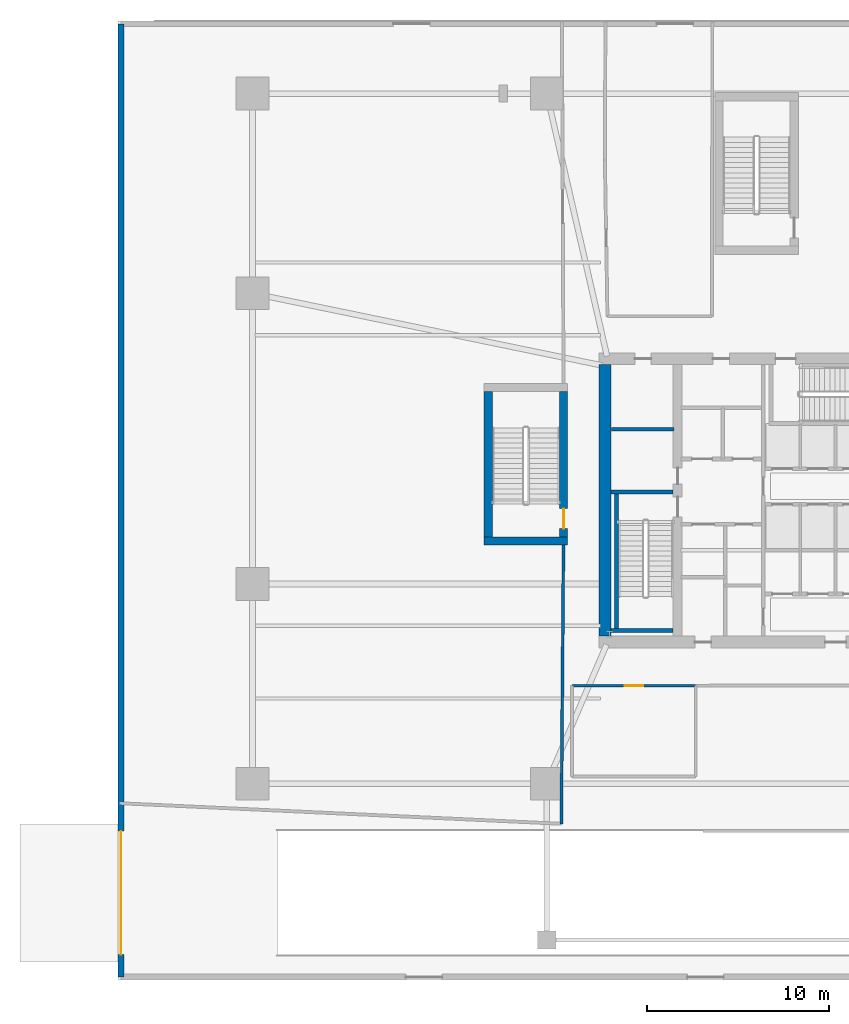
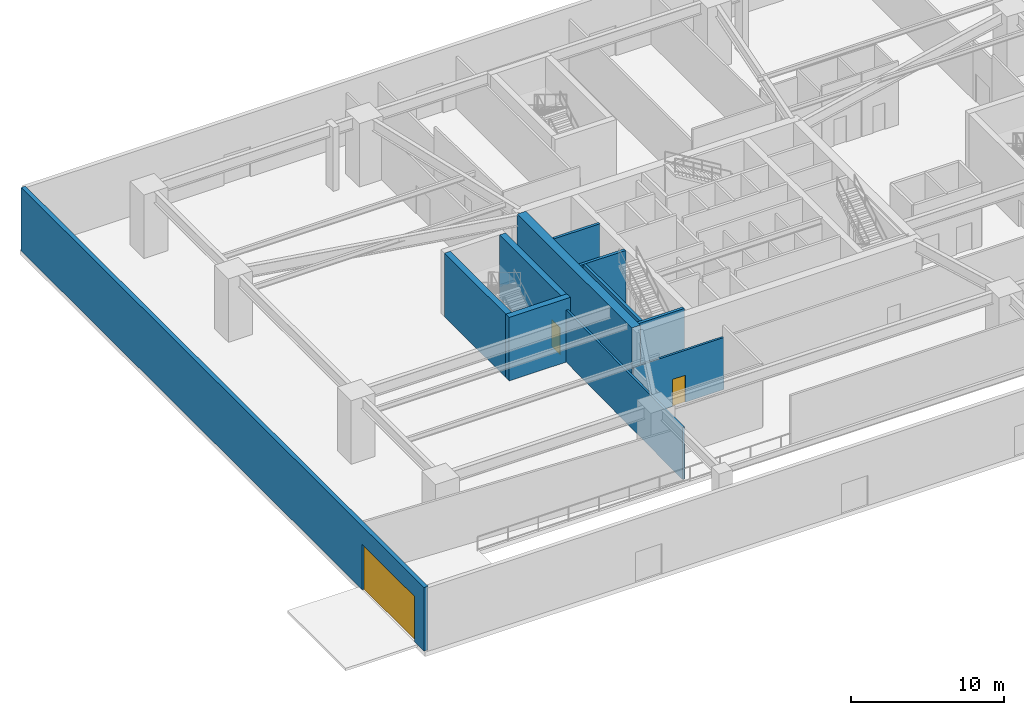
# One storey, part 4 of 13: 11 walls, 3 doors, 3 openings.
"""IFC4 building model written with IfcOpenShell, lengths in metres."""

from ifc_helpers import new_model, si_unit, direction, frame, frame_2d, origin, place, context, subcontext, project, spatial, rectangle, extrude, material, layer, layer_set, type_object, element, fill, save


model = new_model("IFC4")

# Units and contexts
model_context = context("Model", 3, precision=1e-05, world=origin(), true_north=direction((0.0, 1.0)))
body_context = subcontext(model_context, "Body", "Model", "MODEL_VIEW")
ifc_project = project(units=[si_unit("LENGTHUNIT", "METRE"), si_unit("AREAUNIT", "SQUARE_METRE"), si_unit("VOLUMEUNIT", "CUBIC_METRE"), si_unit("PLANEANGLEUNIT", "RADIAN"), si_unit("MASSUNIT", "GRAM", prefix="KILO")], contexts=[model_context])

# Site, building, storey
site_placement = place(None, origin())
site = spatial("IfcSite", under=ifc_project, at=site_placement, CompositionType="ELEMENT")
building_placement = place(site_placement, origin())
building = spatial("IfcBuilding", under=site, at=building_placement, Name="Qarnah Convention Tower", CompositionType="ELEMENT")
storey_placement = place(building_placement, origin())
storey = spatial("IfcBuildingStorey", under=building, at=storey_placement, Name="L00", CompositionType="ELEMENT", Elevation=0.0)

# Walls
ifc_material_1 = material(Name="Concrete C60/75", Category="concrete")
ifc_layer_1 = layer(ifc_material_1, 0.64990234375)
ifc_layer_set_1 = layer_set([ifc_layer_1], Name="Concrete C60/75")
wall_type_1 = type_object("IfcWallType", Name="WL-CORE-650", PredefinedType="SHEAR", material=ifc_layer_set_1)
wall_1_placement = place(storey_placement, frame((26.800048828125, 18.925048828125, 0.0), z_axis=(0.0, 0.0, 1.0), x_axis=(0.0, 1.0, 0.0)))
element("IfcWall", 1, at=wall_1_placement, inside=storey, type_object=wall_type_1, Name="L00 core west shear wall", PredefinedType="SHEAR", context=body_context, shape_type="SweptSolid", body=[
    extrude(rectangle(XDim=14.949951171875, YDim=0.64990234375, at=frame_2d((7.47509765625, 0.0))), origin(), (0.0, 0.0, 1.0), 5.050048828125),
])
ifc_material_2 = material(Name="Concrete C45/55", Category="concrete")
ifc_layer_2 = layer(ifc_material_2, 0.199951171875)
ifc_layer_set_2 = layer_set([ifc_layer_2], Name="Concrete C45/55")
wall_type_2 = type_object("IfcWallType", Name="WL-CORE-PART-200", PredefinedType="SOLIDWALL", material=ifc_layer_set_2)
wall_2_placement = place(storey_placement, frame((27.14990234375, 30.320068359375, 0.0), z_axis=(0.0, 0.0, 1.0), x_axis=(1.0, 0.0, 0.0)))
element("IfcWall", 2, at=wall_2_placement, inside=storey, type_object=wall_type_2, Name="L00 interior wall IW-L00-ELRN", PredefinedType="SOLIDWALL", context=body_context, shape_type="SweptSolid", body=[
    extrude(rectangle(XDim=3.4501953125, YDim=0.199951171875, at=frame_2d((1.72509765625, 0.0))), origin(), (0.0, 0.0, 1.0), 5.050048828125),
])
ifc_layer_3 = layer(ifc_material_1, 0.219970703125)
ifc_layer_set_3 = layer_set([ifc_layer_3], Name="Concrete C60/75")
wall_type_3 = type_object("IfcWallType", Name="WL-CORE-STAIR-220", PredefinedType="SHEAR", material=ifc_layer_set_3)
wall_3_placement = place(storey_placement, frame((27.125, 26.860107421875, 0.0), z_axis=(0.0, 0.0, 1.0), x_axis=(1.0, 0.0, 0.0)))
element("IfcWall", 3, at=wall_3_placement, inside=storey, type_object=wall_type_3, Name="L00 stair shaft shear wall SW-L00-ST1N", PredefinedType="SHEAR", context=body_context, shape_type="SweptSolid", body=[
    extrude(rectangle(XDim=3.425048828125, YDim=0.219970703125, at=frame_2d((1.71240234375, 0.0))), origin(), (0.0, 0.0, 1.0), 5.050048828125),
])
wall_4_placement = place(storey_placement, frame((27.43994140625, 19.35009765625, 0.0), z_axis=(0.0, 0.0, 1.0), x_axis=(0.0, 1.0, 0.0)))
element("IfcWall", 4, at=wall_4_placement, inside=storey, type_object=wall_type_3, Name="L00 stair shaft shear wall SW-L00-ST1W", PredefinedType="SHEAR", context=body_context, shape_type="SweptSolid", body=[
    extrude(rectangle(XDim=7.39990234375, YDim=0.219970703125, at=frame_2d((3.699951171875, 0.0))), origin(), (0.0, 0.0, 1.0), 5.050048828125),
])
wall_5_placement = place(storey_placement, frame((27.125, 19.239990234375, 0.0), z_axis=(0.0, 0.0, 1.0), x_axis=(1.0, 0.0, 0.0)))
element("IfcWall", 5, at=wall_5_placement, inside=storey, type_object=wall_type_3, Name="L00 stair shaft shear wall SW-L00-ST1S", PredefinedType="SHEAR", context=body_context, shape_type="SweptSolid", body=[
    extrude(rectangle(XDim=3.425048828125, YDim=0.219970703125, at=frame_2d((1.71240234375, 0.0))), origin(), (0.0, 0.0, 1.0), 5.050048828125),
])

# Wall, opening, door
ifc_material_3 = material(Name="Gypsum partition board")
ifc_layer_4 = layer(ifc_material_3, 0.159912109375)
ifc_layer_set_4 = layer_set([ifc_layer_4], Name="Gypsum partition board")
wall_type_4 = type_object("IfcWallType", Name="WL-CORR-160", PredefinedType="PARTITIONING", material=ifc_layer_set_4)
wall_6_placement = place(storey_placement, frame((31.800048828125, 16.199951171875, 0.0), z_axis=(0.0, 0.0, 1.0), x_axis=(-1.0, 0.0, 0.0)))
wall_6 = element("IfcWall", 6, at=wall_6_placement, inside=storey, type_object=wall_type_4, Name="L00 interior wall IW-L00-R-12", PredefinedType="PARTITIONING", context=body_context, shape_type="SweptSolid", body=[
    extrude(rectangle(XDim=6.800048828125, YDim=0.159912109375, at=frame_2d((3.39990234375, 0.0))), origin(), (0.0, 0.0, 1.0), 4.135009765625),
])
opening_1_placement = place(wall_6_placement, frame((2.89990234375, 0.0, 0.0)))
opening_1 = element("IfcOpeningElement", 7, at=opening_1_placement, cuts=wall_6, Name="Opening D-0022", PredefinedType="OPENING", context=body_context, shape_type="SweptSolid", body=[
    extrude(rectangle(XDim=1.0, YDim=2.14990234375, at=frame_2d((0.5, 1.074951171875))), frame((0.0, 0.08984375, 0.0), z_axis=(0.0, -1.0, 0.0), x_axis=(1.0, 0.0, 0.0)), (0.0, 0.0, 1.0), 0.179931640625),
])
ifc_material_4 = material(Name="Oak timber veneer", Category="wood")
door_type_1 = type_object("IfcDoorType", Name="DT-OFFICE-1000", OperationType="NOTDEFINED", PredefinedType="DOOR", material=ifc_material_4)
door_1_placement = place(opening_1_placement, origin())
door_1 = element("IfcDoor", 8, at=door_1_placement, inside=storey, type_object=door_type_1, Name="Door D-0022", OperationType="SINGLE_SWING_LEFT", OverallHeight=2.14990234375, OverallWidth=1.0, PredefinedType="DOOR", context=body_context, shape_type="SweptSolid", body=[
    extrude(rectangle(XDim=1.0, YDim=2.14990234375, at=frame_2d((0.5, 1.074951171875))), frame((0.0, 0.02490234375, 0.0), z_axis=(0.0, -1.0, 0.0), x_axis=(1.0, 0.0, 0.0)), (0.0, 0.0, 1.0), 0.050048828125),
])
fill(opening_1, door_1)

# Wall
wall_7_placement = place(storey_placement, frame((24.39990234375, 8.60009765625, 0.0), z_axis=(0.0, 0.0, 1.0), x_axis=(0.007911242618, 0.99996870563, 0.0)))
element("IfcWall", 9, at=wall_7_placement, inside=storey, type_object=wall_type_4, Name="L00 interior wall IW-L00-R-17", PredefinedType="PARTITIONING", context=body_context, shape_type="SweptSolid", body=[
    extrude(rectangle(XDim=15.80029296875, YDim=0.159912109375, at=frame_2d((7.900146484375, 0.0))), origin(), (0.0, 0.0, 1.0), 4.135009765625),
])

# Wall, opening, door
ifc_material_5 = material(Name="Precast concrete C45/55", Category="concrete")
ifc_layer_5 = layer(ifc_material_5, 0.320068359375)
ifc_layer_set_5 = layer_set([ifc_layer_5], Name="Precast concrete C45/55")
wall_type_5 = type_object("IfcWallType", Name="WL-EXT-POD-320", PredefinedType="SOLIDWALL", material=ifc_layer_set_5)
wall_8_placement = place(storey_placement, frame((0.159912109375, 0.159912109375, 0.0), z_axis=(0.0, 0.0, 1.0), x_axis=(0.0, 1.0, 0.0)))
wall_8 = element("IfcWall", 10, at=wall_8_placement, inside=storey, type_object=wall_type_5, Name="L00 precast facade wall W", PredefinedType="SOLIDWALL", context=body_context, shape_type="SweptSolid", body=[
    extrude(rectangle(XDim=52.47998046875, YDim=0.320068359375, at=frame_2d((26.239990234375, 0.0))), origin(), (0.0, 0.0, 1.0), 5.050048828125),
])
opening_2_placement = place(wall_8_placement, frame((1.239990234375, 0.0, 0.0)))
opening_2 = element("IfcOpeningElement", 11, at=opening_2_placement, cuts=wall_8, Name="Opening VG-0001", PredefinedType="OPENING", context=body_context, shape_type="SweptSolid", body=[
    extrude(rectangle(XDim=6.800048828125, YDim=3.60009765625, at=frame_2d((3.39990234375, 1.800048828125))), frame((0.0, 0.169921875, 0.0), z_axis=(0.0, -1.0, 0.0), x_axis=(1.0, 0.0, 0.0)), (0.0, 0.0, 1.0), 0.340087890625),
])
ifc_material_6 = material(Name="Black anodised aluminium", Category="aluminium")
door_type_2 = type_object("IfcDoorType", Name="DT-VGATE-6800", OperationType="SLIDING_TO_LEFT", PredefinedType="GATE", material=ifc_material_6)
door_2_placement = place(opening_2_placement, origin())
door_2 = element("IfcDoor", 12, at=door_2_placement, inside=storey, type_object=door_type_2, Name="Vehicle ramp security shutter gate VG-0001", OperationType="SLIDING_TO_LEFT", OverallHeight=3.60009765625, OverallWidth=6.800048828125, PredefinedType="GATE", context=body_context, shape_type="SweptSolid", body=[
    extrude(rectangle(XDim=6.800048828125, YDim=3.60009765625, at=frame_2d((3.39990234375, 1.800048828125))), frame((0.0, 0.02490234375, 0.0), z_axis=(0.0, -1.0, 0.0), x_axis=(1.0, 0.0, 0.0)), (0.0, 0.0, 1.0), 0.050048828125),
])
fill(opening_2, door_2)

# Walls
ifc_layer_6 = layer(ifc_material_1, 0.449951171875)
ifc_layer_set_6 = layer_set([ifc_layer_6], Name="Concrete C60/75")
wall_type_6 = type_object("IfcWallType", Name="WL-POD-CORE-450", PredefinedType="SHEAR", material=ifc_layer_set_6)
wall_9_placement = place(storey_placement, frame((20.14990234375, 24.175048828125, 0.0), z_axis=(0.0, 0.0, 1.0), x_axis=(1.0, 0.0, 0.0)))
element("IfcWall", 13, at=wall_9_placement, inside=storey, type_object=wall_type_6, Name="L00 podium stair ST-5 south wall", PredefinedType="SHEAR", context=body_context, shape_type="SweptSolid", body=[
    extrude(rectangle(XDim=4.60009765625, YDim=0.449951171875, at=frame_2d((2.300048828125, 0.0))), origin(), (0.0, 0.0, 1.0), 5.050048828125),
])
wall_10_placement = place(storey_placement, frame((20.375, 24.39990234375, 0.0), z_axis=(0.0, 0.0, 1.0), x_axis=(0.0, 1.0, 0.0)))
element("IfcWall", 14, at=wall_10_placement, inside=storey, type_object=wall_type_6, Name="L00 podium stair ST-5 west wall", PredefinedType="SHEAR", context=body_context, shape_type="SweptSolid", body=[
    extrude(rectangle(XDim=8.0, YDim=0.449951171875, at=frame_2d((4.0, 0.0))), origin(), (0.0, 0.0, 1.0), 5.050048828125),
])

# Wall, opening, door
wall_11_placement = place(storey_placement, frame((24.52490234375, 24.39990234375, 0.0), z_axis=(0.0, 0.0, 1.0), x_axis=(0.0, 1.0, 0.0)))
wall_11 = element("IfcWall", 15, at=wall_11_placement, inside=storey, type_object=wall_type_6, Name="L00 podium stair ST-5 east wall", PredefinedType="SHEAR", context=body_context, shape_type="SweptSolid", body=[
    extrude(rectangle(XDim=8.0, YDim=0.449951171875, at=frame_2d((4.0, 0.0))), origin(), (0.0, 0.0, 1.0), 5.050048828125),
])
opening_3_placement = place(wall_11_placement, frame((0.449951171875, 0.0, 0.0)))
opening_3 = element("IfcOpeningElement", 16, at=opening_3_placement, cuts=wall_11, Name="Opening D-0017", PredefinedType="OPENING", context=body_context, shape_type="SweptSolid", body=[
    extrude(rectangle(XDim=1.10009765625, YDim=2.14990234375, at=frame_2d((0.550048828125, 1.074951171875))), frame((0.0, 0.23486328125, 0.0), z_axis=(0.0, -1.0, 0.0), x_axis=(1.0, 0.0, 0.0)), (0.0, 0.0, 1.0), 0.469970703125),
])
ifc_material_7 = material(Name="Structural steel S355JR", Category="steel")
door_type_3 = type_object("IfcDoorType", Name="DT-STAIR-1100", OperationType="NOTDEFINED", PredefinedType="DOOR", material=ifc_material_7)
door_3_placement = place(opening_3_placement, origin())
door_3 = element("IfcDoor", 17, at=door_3_placement, inside=storey, type_object=door_type_3, Name="Door D-0017", OperationType="SINGLE_SWING_RIGHT", OverallHeight=2.14990234375, OverallWidth=1.10009765625, PredefinedType="DOOR", context=body_context, shape_type="SweptSolid", body=[
    extrude(rectangle(XDim=1.10009765625, YDim=2.14990234375, at=frame_2d((0.550048828125, 1.074951171875))), frame((0.0, 0.02490234375, 0.0), z_axis=(0.0, -1.0, 0.0), x_axis=(1.0, 0.0, 0.0)), (0.0, 0.0, 1.0), 0.050048828125),
])
fill(opening_3, door_3)

save(model, "model.ifc")
